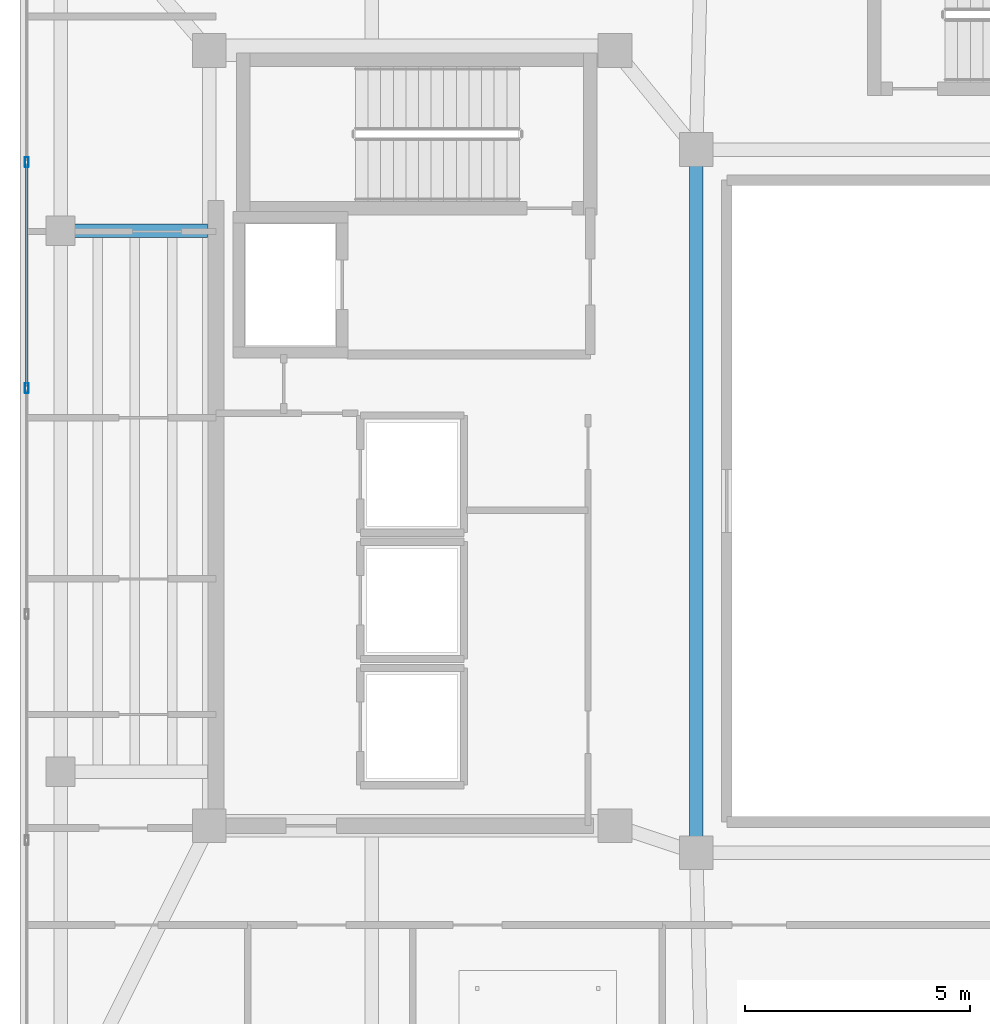
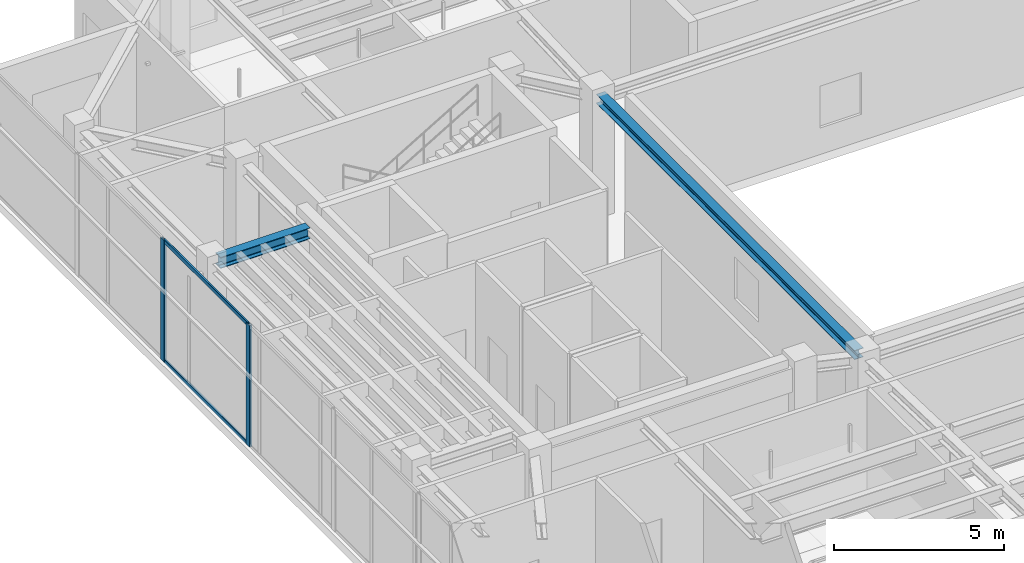
# One storey, part 6 of 25: 4 members, 2 beams, 1 element without a shape of its own.
"""IFC4 building model written with IfcOpenShell, lengths in metres."""

from ifc_helpers import new_model, si_unit, direction, frame, origin, origin_2d, place, context, subcontext, project, spatial, hollow_rectangle, i_section, extrude, material, layer, layer_set, material_profile, profile_set, type_object, element, aggregate, save


model = new_model("IFC4")

# Units and contexts
model_context = context("Model", 3, precision=1e-05, world=origin(), true_north=direction((0.0, 1.0)))
body_context = subcontext(model_context, "Body", "Model", "MODEL_VIEW")
ifc_project = project(units=[si_unit("LENGTHUNIT", "METRE"), si_unit("AREAUNIT", "SQUARE_METRE"), si_unit("VOLUMEUNIT", "CUBIC_METRE"), si_unit("PLANEANGLEUNIT", "RADIAN"), si_unit("MASSUNIT", "GRAM", prefix="KILO")], contexts=[model_context])

# Site, building, storey
site_placement = place(None, origin())
site = spatial("IfcSite", under=ifc_project, at=site_placement, CompositionType="ELEMENT")
building_placement = place(site_placement, origin())
building = spatial("IfcBuilding", under=site, at=building_placement, Name="Tarnavaz Court Tower", CompositionType="ELEMENT")
storey_placement = place(building_placement, frame((0.0, 0.0, 271.64990234375)))
storey = spatial("IfcBuildingStorey", under=building, at=storey_placement, Name="L74", CompositionType="ELEMENT", Elevation=271.64990234375)

# Beams
ifc_material_1 = material(Name="Steel S355", Category="steel")
ifc_material_profile_1 = material_profile(ifc_material_1, i_section(OverallWidth=0.300048828125, OverallDepth=0.39990234375, WebThickness=0.013427734375, FlangeThickness=0.02392578125, FilletRadius=0.027099609375, at=origin_2d()), Name="HEB 400")
ifc_profile_set_1 = profile_set([ifc_material_profile_1], Name="Steel S355")
beam_type_1 = type_object("IfcBeamType", Name="BM-G-HEB400", PredefinedType="USERDEFINED", material=ifc_profile_set_1)
beam_1_placement = place(storey_placement, frame((-18.639892578125, 6.0, 4.150146484375), z_axis=(-1.0, 0.0, 0.0), x_axis=(0.0, -1.0, 0.0)))
element("IfcBeam", 1, at=beam_1_placement, inside=storey, type_object=beam_type_1, Name="L74 Beam RG-14", ObjectType="GIRDER", PredefinedType="USERDEFINED", context=body_context, shape_type="SweptSolid", body=[
    extrude(i_section(OverallWidth=0.300048828125, OverallDepth=0.39990234375, WebThickness=0.013427734375, FlangeThickness=0.02392578125, FilletRadius=0.027099609375, at=origin_2d()), origin(), (0.0, 0.0, 1.0), 3.0400390625),
])
ifc_material_profile_2 = material_profile(ifc_material_1, i_section(OverallWidth=0.300048828125, OverallDepth=0.330078125, WebThickness=0.009521484375, FlangeThickness=0.0166015625, FilletRadius=0.027099609375, at=origin_2d()), Name="HEA 340")
ifc_profile_set_2 = profile_set([ifc_material_profile_2], Name="Steel S355")
beam_type_2 = type_object("IfcBeamType", Name="BM-SP-HEA340", PredefinedType="BEAM", material=ifc_profile_set_2)
beam_2_placement = place(storey_placement, frame((-7.800048828125, -7.580078125, 4.18505859375), z_axis=(0.0, 1.0, 0.0), x_axis=(-1.0, 0.0, 0.0)))
element("IfcBeam", 2, at=beam_2_placement, inside=storey, type_object=beam_type_2, Name="L74 Beam IN-IW-SW-IW-NW", PredefinedType="BEAM", context=body_context, shape_type="SweptSolid", body=[
    extrude(i_section(OverallWidth=0.300048828125, OverallDepth=0.330078125, WebThickness=0.009521484375, FlangeThickness=0.0166015625, FilletRadius=0.027099609375, at=origin_2d()), origin(), (0.0, 0.0, 1.0), 15.16015625),
])

# Curtain wall, members
ifc_material_2 = material(Name="Anodised Aluminium 6063-T6 and Solar Low-E Glazing", Category="aluminium")
ifc_layer = layer(ifc_material_2, 0.2099609375)
ifc_layer_set = layer_set([ifc_layer], Name="Anodised Aluminium 6063-T6 and Solar Low-E Glazing")
curtain_wall_type = type_object("IfcCurtainWallType", Name="CW-SYS-06", PredefinedType="NOTDEFINED", material=ifc_layer_set)
curtain_wall_placement = place(storey_placement, origin())
curtain_wall = element("IfcCurtainWall", 3, at=curtain_wall_placement, inside=storey, type_object=curtain_wall_type, Name="L74 Observation Curtain Wall 2", PredefinedType="NOTDEFINED")
ifc_material_3 = material(Name="Anodised Aluminium 6063-T6", Category="aluminium")
ifc_material_profile_3 = material_profile(ifc_material_3, hollow_rectangle(XDim=0.0849609375, YDim=0.219970703125, WallThickness=0.006103515625, InnerFilletRadius=0.006103515625, OuterFilletRadius=0.011962890625, at=origin_2d()), Name="ALU RHS 220X85X6")
ifc_profile_set_3 = profile_set([ifc_material_profile_3], Name="Anodised Aluminium 6063-T6")
member_type_1 = type_object("IfcMemberType", Name="CW-MUL-220", PredefinedType="MULLION", material=ifc_profile_set_3)
member_1_placement = place(storey_placement, frame((-22.64990234375, 2.507080078125, 0.0), z_axis=(0.0, 0.0, 1.0), x_axis=(-1.0, 0.0, 0.0)))
member_1 = element("IfcMember", 4, at=member_1_placement, type_object=member_type_1, Name="CW mullion 5", PredefinedType="MULLION", context=body_context, shape_type="SweptSolid", body=[
    extrude(hollow_rectangle(XDim=0.0849609375, YDim=0.219970703125, WallThickness=0.006103515625, InnerFilletRadius=0.006103515625, OuterFilletRadius=0.011962890625, at=origin_2d()), origin(), (0.0, 0.0, 1.0), 4.35009765625),
])
member_2_placement = place(storey_placement, frame((-22.64990234375, 7.521484375, 0.0), z_axis=(0.0, 0.0, 1.0), x_axis=(-1.0, 0.0, 0.0)))
member_2 = element("IfcMember", 5, at=member_2_placement, type_object=member_type_1, Name="CW mullion 6", PredefinedType="MULLION", context=body_context, shape_type="SweptSolid", body=[
    extrude(hollow_rectangle(XDim=0.0849609375, YDim=0.219970703125, WallThickness=0.006103515625, InnerFilletRadius=0.006103515625, OuterFilletRadius=0.011962890625, at=origin_2d()), origin(), (0.0, 0.0, 1.0), 4.35009765625),
])
ifc_material_profile_4 = material_profile(ifc_material_3, hollow_rectangle(XDim=0.06494140625, YDim=0.139892578125, WallThickness=0.00390625, InnerFilletRadius=0.00390625, OuterFilletRadius=0.008056640625, at=origin_2d()), Name="ALU RHS 140X65X4")
ifc_profile_set_4 = profile_set([ifc_material_profile_4], Name="Anodised Aluminium 6063-T6")
member_type_2 = type_object("IfcMemberType", Name="CW-TRN-140", PredefinedType="USERDEFINED", material=ifc_profile_set_4)
member_3_placement = place(storey_placement, frame((-22.64990234375, 2.549560546875, 0.03271484375), z_axis=(0.0, 1.0, 0.0), x_axis=(-1.0, 0.0, 0.0)))
member_3 = element("IfcMember", 6, at=member_3_placement, type_object=member_type_2, Name="CW transom 5.1", ObjectType="TRANSOM", PredefinedType="USERDEFINED", context=body_context, shape_type="SweptSolid", body=[
    extrude(hollow_rectangle(XDim=0.06494140625, YDim=0.139892578125, WallThickness=0.00390625, InnerFilletRadius=0.00390625, OuterFilletRadius=0.008056640625, at=origin_2d()), origin(), (0.0, 0.0, 1.0), 4.929443359375),
])
member_4_placement = place(storey_placement, frame((-22.64990234375, 2.549560546875, 4.317626953125), z_axis=(0.0, 1.0, 0.0), x_axis=(-1.0, 0.0, 0.0)))
member_4 = element("IfcMember", 7, at=member_4_placement, type_object=member_type_2, Name="CW transom 5.2", ObjectType="TRANSOM", PredefinedType="USERDEFINED", context=body_context, shape_type="SweptSolid", body=[
    extrude(hollow_rectangle(XDim=0.06494140625, YDim=0.139892578125, WallThickness=0.00390625, InnerFilletRadius=0.00390625, OuterFilletRadius=0.008056640625, at=origin_2d()), origin(), (0.0, 0.0, 1.0), 4.929443359375),
])
aggregate(curtain_wall, [member_1, member_2, member_3, member_4])

save(model, "model.ifc")
